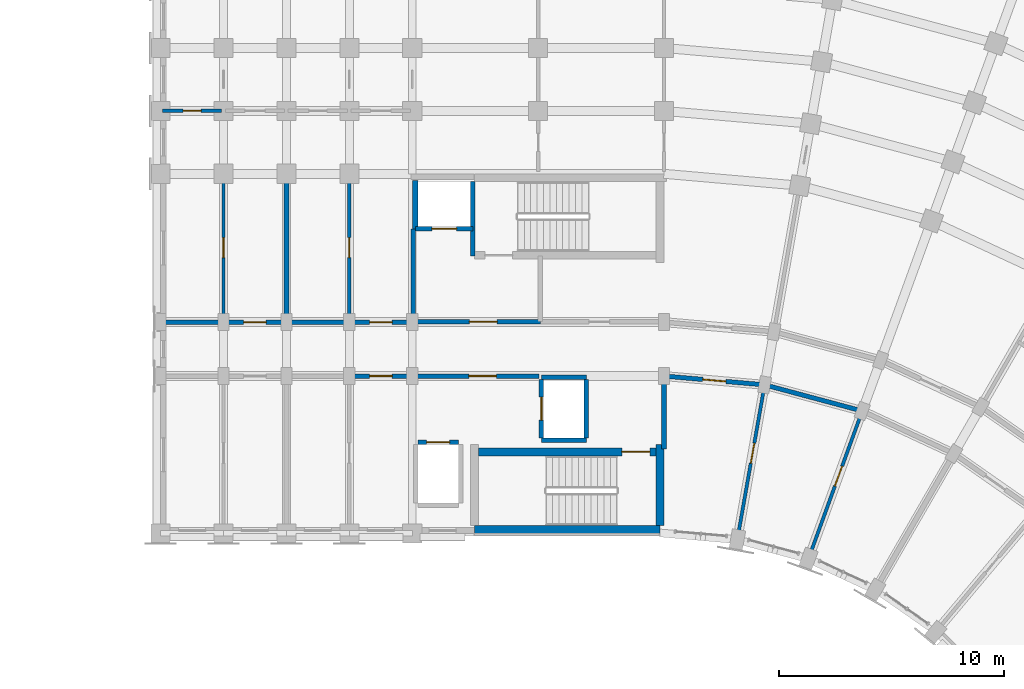
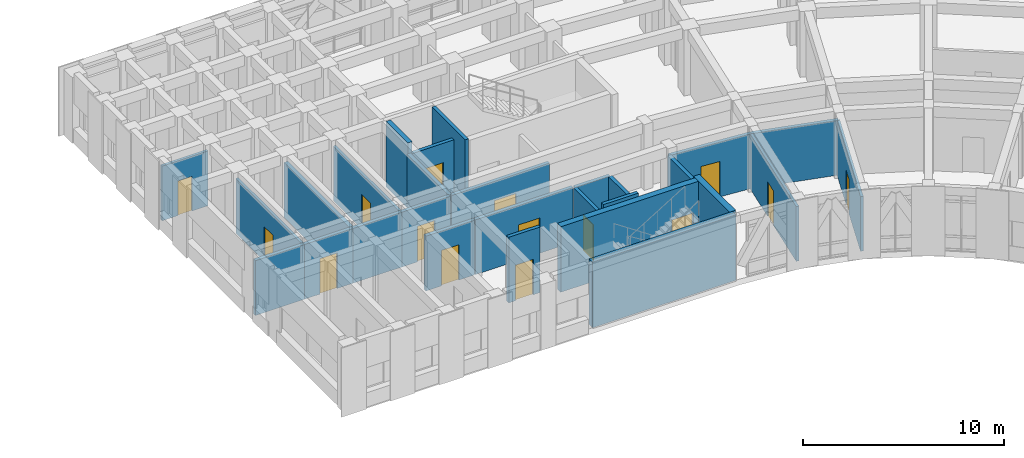
# One storey, part 73 of 97: 28 walls, 15 doors, 15 openings.
"""IFC4 building model written with IfcOpenShell, lengths in metres."""

from ifc_helpers import new_model, si_unit, direction, frame, frame_2d, origin, place, context, subcontext, project, spatial, rectangle, extrude, material, layer, layer_set, type_object, element, fill, save


model = new_model("IFC4")

# Units and contexts
model_context = context("Model", 3, precision=1e-05, world=origin(), true_north=direction((0.0, 1.0)))
body_context = subcontext(model_context, "Body", "Model", "MODEL_VIEW")
ifc_project = project(units=[si_unit("LENGTHUNIT", "METRE"), si_unit("AREAUNIT", "SQUARE_METRE"), si_unit("VOLUMEUNIT", "CUBIC_METRE"), si_unit("PLANEANGLEUNIT", "RADIAN"), si_unit("MASSUNIT", "GRAM", prefix="KILO")], contexts=[model_context])

# Site, building, storey
site_placement = place(None, origin())
site = spatial("IfcSite", under=ifc_project, at=site_placement, CompositionType="ELEMENT")
building_placement = place(site_placement, origin())
building = spatial("IfcBuilding", under=site, at=building_placement, Name="Kiranvali Square Residences", CompositionType="ELEMENT")
storey_placement = place(building_placement, frame((0.0, 0.0, 4.5)))
storey = spatial("IfcBuildingStorey", under=building, at=storey_placement, Name="L01", CompositionType="ELEMENT", Elevation=4.5)

# Wall, opening, door
ifc_material_1 = material(Name="Autoclaved aerated concrete blockwork masonry", Category="masonry")
ifc_layer_1 = layer(ifc_material_1, 0.199951171875)
ifc_layer_set_1 = layer_set([ifc_layer_1], Name="Autoclaved aerated concrete blockwork masonry")
wall_type_1 = type_object("IfcWallType", Name="WL-COR-200", PredefinedType="STANDARD", material=ifc_layer_set_1)
wall_1_placement = place(storey_placement, frame((114.25, 113.60009765625, 0.0), z_axis=(0.0, 0.0, 1.0), x_axis=(-1.0, 0.0, 0.0)))
wall_1 = element("IfcWall", 1, at=wall_1_placement, inside=storey, type_object=wall_type_1, Name="L01 architectural wall WL-L01-B-LL-COR", PredefinedType="STANDARD", context=body_context, shape_type="SweptSolid", body=[
    extrude(rectangle(XDim=5.60009765625, YDim=0.199951171875, at=frame_2d((2.800048828125, 0.0))), origin(), (0.0, 0.0, 1.0), 3.322021484375),
])
opening_1_placement = place(wall_1_placement, frame((1.909912109375, 0.0, 0.0)))
opening_1 = element("IfcOpeningElement", 2, at=opening_1_placement, cuts=wall_1, Name="Opening FD-COR-60", PredefinedType="OPENING", context=body_context, shape_type="SweptSolid", body=[
    extrude(rectangle(XDim=1.219970703125, YDim=2.14990234375, at=frame_2d((0.60986328125, 1.074951171875))), frame((0.0, 0.10986328125, 0.0), z_axis=(0.0, -1.0, 0.0), x_axis=(1.0, 0.0, 0.0)), (0.0, 0.0, 1.0), 0.219970703125),
])
ifc_material_2 = material(Name="Fire-rated acoustic hardwood and mineral-core door assembly", Category="wood")
door_type_1 = type_object("IfcDoorType", Name="DR-FD60-1200", OperationType="NOTDEFINED", PredefinedType="DOOR", material=ifc_material_2)
door_1_placement = place(opening_1_placement, frame((1.219970703125, 0.0, 0.0), z_axis=(0.0, 0.0, 1.0), x_axis=(-1.0, 0.0, 0.0)))
door_1 = element("IfcDoor", 3, at=door_1_placement, inside=storey, type_object=door_type_1, Name="L01 door DR-L01-1006 (DR-FD60-1200)", OperationType="SINGLE_SWING_RIGHT", OverallHeight=2.14990234375, OverallWidth=1.219970703125, PredefinedType="DOOR", context=body_context, shape_type="SweptSolid", body=[
    extrude(rectangle(XDim=1.219970703125, YDim=2.14990234375, at=frame_2d((0.60986328125, 1.074951171875))), frame((0.0, 0.02490234375, 0.0), z_axis=(0.0, -1.0, 0.0), x_axis=(1.0, 0.0, 0.0)), (0.0, 0.0, 1.0), 0.050048828125),
])
fill(opening_1, door_1)

wall_2_placement = place(storey_placement, frame((108.60009765625, 113.60009765625, 0.0), z_axis=(0.0, 0.0, 1.0), x_axis=(-1.0, 0.0, 0.0)))
wall_2 = element("IfcWall", 4, at=wall_2_placement, inside=storey, type_object=wall_type_1, Name="L01 architectural wall WL-L01-B-A1CI-0", PredefinedType="STANDARD", context=body_context, shape_type="SweptSolid", body=[
    extrude(rectangle(XDim=2.800048828125, YDim=0.199951171875, at=frame_2d((1.39990234375, 0.0))), origin(), (0.0, 0.0, 1.0), 3.322021484375),
])
opening_2_placement = place(wall_2_placement, frame((0.89990234375, 0.0, 0.0)))
opening_2 = element("IfcOpeningElement", 5, at=opening_2_placement, cuts=wall_2, Name="Opening FD-APT-60", PredefinedType="OPENING", context=body_context, shape_type="SweptSolid", body=[
    extrude(rectangle(XDim=1.0, YDim=2.14990234375, at=frame_2d((0.5, 1.074951171875))), frame((0.0, 0.10986328125, 0.0), z_axis=(0.0, -1.0, 0.0), x_axis=(1.0, 0.0, 0.0)), (0.0, 0.0, 1.0), 0.219970703125),
])
door_type_2 = type_object("IfcDoorType", Name="DR-APT-1000", OperationType="NOTDEFINED", PredefinedType="DOOR", material=ifc_material_2)
door_2_placement = place(opening_2_placement, frame((1.0, 0.0, 0.0), z_axis=(0.0, 0.0, 1.0), x_axis=(-1.0, 0.0, 0.0)))
door_2 = element("IfcDoor", 6, at=door_2_placement, inside=storey, type_object=door_type_2, Name="L01 door DR-L01-1010 (DR-APT-1000)", OperationType="SINGLE_SWING_RIGHT", OverallHeight=2.14990234375, OverallWidth=1.0, PredefinedType="DOOR", context=body_context, shape_type="SweptSolid", body=[
    extrude(rectangle(XDim=1.0, YDim=2.14990234375, at=frame_2d((0.5, 1.074951171875))), frame((0.0, 0.02490234375, 0.0), z_axis=(0.0, -1.0, 0.0), x_axis=(1.0, 0.0, 0.0)), (0.0, 0.0, 1.0), 0.050048828125),
])
fill(opening_2, door_2)

wall_3_placement = place(storey_placement, frame((108.60009765625, 116.0, 0.0), z_axis=(0.0, 0.0, 1.0), x_axis=(-1.0, 0.0, 0.0)))
wall_3 = element("IfcWall", 7, at=wall_3_placement, inside=storey, type_object=wall_type_1, Name="L01 architectural wall WL-L01-B-A1CO-0", PredefinedType="STANDARD", context=body_context, shape_type="SweptSolid", body=[
    extrude(rectangle(XDim=2.800048828125, YDim=0.199951171875, at=frame_2d((1.39990234375, 0.0))), origin(), (0.0, 0.0, 1.0), 3.322021484375),
])
opening_3_placement = place(wall_3_placement, frame((0.89990234375, 0.0, 0.0)))
opening_3 = element("IfcOpeningElement", 8, at=opening_3_placement, cuts=wall_3, Name="Opening FD-APT-60", PredefinedType="OPENING", context=body_context, shape_type="SweptSolid", body=[
    extrude(rectangle(XDim=1.0, YDim=2.14990234375, at=frame_2d((0.5, 1.074951171875))), frame((0.0, 0.10986328125, 0.0), z_axis=(0.0, -1.0, 0.0), x_axis=(1.0, 0.0, 0.0)), (0.0, 0.0, 1.0), 0.219970703125),
])
door_3_placement = place(opening_3_placement, frame((1.0, 0.0, 0.0), z_axis=(0.0, 0.0, 1.0), x_axis=(-1.0, 0.0, 0.0)))
door_3 = element("IfcDoor", 9, at=door_3_placement, inside=storey, type_object=door_type_2, Name="L01 door DR-L01-1012 (DR-APT-1000)", OperationType="SINGLE_SWING_RIGHT", OverallHeight=2.14990234375, OverallWidth=1.0, PredefinedType="DOOR", context=body_context, shape_type="SweptSolid", body=[
    extrude(rectangle(XDim=1.0, YDim=2.14990234375, at=frame_2d((0.5, 1.074951171875))), frame((0.0, 0.02490234375, 0.0), z_axis=(0.0, -1.0, 0.0), x_axis=(1.0, 0.0, 0.0)), (0.0, 0.0, 1.0), 0.050048828125),
])
fill(opening_3, door_3)

# Wall
wall_4_placement = place(storey_placement, frame((105.800048828125, 116.0, 0.0), z_axis=(0.0, 0.0, 1.0), x_axis=(-1.0, 0.0, 0.0)))
element("IfcWall", 10, at=wall_4_placement, inside=storey, type_object=wall_type_1, Name="L01 architectural wall WL-L01-B-A1CO-1", PredefinedType="STANDARD", context=body_context, shape_type="SweptSolid", body=[
    extrude(rectangle(XDim=2.800048828125, YDim=0.199951171875, at=frame_2d((1.39990234375, 0.0))), origin(), (0.0, 0.0, 1.0), 3.322021484375),
])

# Wall, opening, door
wall_5_placement = place(storey_placement, frame((103.0, 116.0, 0.0), z_axis=(0.0, 0.0, 1.0), x_axis=(-1.0, 0.0, 0.0)))
wall_5 = element("IfcWall", 11, at=wall_5_placement, inside=storey, type_object=wall_type_1, Name="L01 architectural wall WL-L01-B-A1CO-2", PredefinedType="STANDARD", context=body_context, shape_type="SweptSolid", body=[
    extrude(rectangle(XDim=2.800048828125, YDim=0.199951171875, at=frame_2d((1.39990234375, 0.0))), origin(), (0.0, 0.0, 1.0), 3.322021484375),
])
opening_4_placement = place(wall_5_placement, frame((0.89990234375, 0.0, 0.0)))
opening_4 = element("IfcOpeningElement", 12, at=opening_4_placement, cuts=wall_5, Name="Opening FD-APT-60", PredefinedType="OPENING", context=body_context, shape_type="SweptSolid", body=[
    extrude(rectangle(XDim=1.0, YDim=2.14990234375, at=frame_2d((0.5, 1.074951171875))), frame((0.0, 0.10986328125, 0.0), z_axis=(0.0, -1.0, 0.0), x_axis=(1.0, 0.0, 0.0)), (0.0, 0.0, 1.0), 0.219970703125),
])
door_4_placement = place(opening_4_placement, frame((1.0, 0.0, 0.0), z_axis=(0.0, 0.0, 1.0), x_axis=(-1.0, 0.0, 0.0)))
door_4 = element("IfcDoor", 13, at=door_4_placement, inside=storey, type_object=door_type_2, Name="L01 door DR-L01-1016 (DR-APT-1000)", OperationType="SINGLE_SWING_RIGHT", OverallHeight=2.14990234375, OverallWidth=1.0, PredefinedType="DOOR", context=body_context, shape_type="SweptSolid", body=[
    extrude(rectangle(XDim=1.0, YDim=2.14990234375, at=frame_2d((0.5, 1.074951171875))), frame((0.0, 0.02490234375, 0.0), z_axis=(0.0, -1.0, 0.0), x_axis=(1.0, 0.0, 0.0)), (0.0, 0.0, 1.0), 0.050048828125),
])
fill(opening_4, door_4)

# Wall
wall_6_placement = place(storey_placement, frame((100.199951171875, 116.0, 0.0), z_axis=(0.0, 0.0, 1.0), x_axis=(-1.0, 0.0, 0.0)))
element("IfcWall", 14, at=wall_6_placement, inside=storey, type_object=wall_type_1, Name="L01 architectural wall WL-L01-B-A1CO-3", PredefinedType="STANDARD", context=body_context, shape_type="SweptSolid", body=[
    extrude(rectangle(XDim=2.800048828125, YDim=0.199951171875, at=frame_2d((1.39990234375, 0.0))), origin(), (0.0, 0.0, 1.0), 3.322021484375),
])

# Wall, opening, door
wall_7_placement = place(storey_placement, frame((119.800048828125, 113.60009765625, 0.0), z_axis=(0.0, 0.0, 1.0), x_axis=(0.996191949488, -0.087187153726, 0.0)))
wall_7 = element("IfcWall", 15, at=wall_7_placement, inside=storey, type_object=wall_type_1, Name="L01 architectural wall WL-L01-B-CCI-0", PredefinedType="STANDARD", context=body_context, shape_type="SweptSolid", body=[
    extrude(rectangle(XDim=4.4970703125, YDim=0.199951171875, at=frame_2d((2.24853515625, 0.0))), origin(), (0.0, 0.0, 1.0), 3.322021484375),
])
opening_5_placement = place(wall_7_placement, frame((1.728515625, 0.0, 0.0)))
opening_5 = element("IfcOpeningElement", 16, at=opening_5_placement, cuts=wall_7, Name="Opening FD-APT-60B", PredefinedType="OPENING", context=body_context, shape_type="SweptSolid", body=[
    extrude(rectangle(XDim=1.0400390625, YDim=2.14990234375, at=frame_2d((0.52001953125, 1.074951171875))), frame((0.0, 0.10986328125, 0.0), z_axis=(0.0, -1.0, 0.0), x_axis=(1.0, 0.0, 0.0)), (0.0, 0.0, 1.0), 0.219970703125),
])
door_type_3 = type_object("IfcDoorType", Name="DR-APT-1040", OperationType="NOTDEFINED", PredefinedType="DOOR", material=ifc_material_2)
door_5_placement = place(opening_5_placement, origin())
door_5 = element("IfcDoor", 17, at=door_5_placement, inside=storey, type_object=door_type_3, Name="L01 door DR-L01-1043 (DR-APT-1040)", OperationType="SINGLE_SWING_LEFT", OverallHeight=2.14990234375, OverallWidth=1.0400390625, PredefinedType="DOOR", context=body_context, shape_type="SweptSolid", body=[
    extrude(rectangle(XDim=1.0400390625, YDim=2.14990234375, at=frame_2d((0.52001953125, 1.074951171875))), frame((0.0, 0.02490234375, 0.0), z_axis=(0.0, -1.0, 0.0), x_axis=(1.0, 0.0, 0.0)), (0.0, 0.0, 1.0), 0.050048828125),
])
fill(opening_5, door_5)

# Walls
wall_8_placement = place(storey_placement, frame((124.280029296875, 113.2080078125, 0.0), z_axis=(0.0, 0.0, 1.0), x_axis=(0.965934240054, -0.258787642463, 0.0)))
element("IfcWall", 18, at=wall_8_placement, inside=storey, type_object=wall_type_1, Name="L01 architectural wall WL-L01-B-CCI-1", PredefinedType="STANDARD", context=body_context, shape_type="SweptSolid", body=[
    extrude(rectangle(XDim=4.497314453125, YDim=0.199951171875, at=frame_2d((2.24853515625, 0.0))), origin(), (0.0, 0.0, 1.0), 3.322021484375),
])
ifc_layer_2 = layer(ifc_material_1, 0.219970703125)
ifc_layer_set_2 = layer_set([ifc_layer_2], Name="Autoclaved aerated concrete blockwork masonry")
wall_type_2 = type_object("IfcWallType", Name="WL-DEM-220", PredefinedType="STANDARD", material=ifc_layer_set_2)
wall_9_placement = place(storey_placement, frame((103.0, 116.050048828125, 0.0), z_axis=(0.0, 0.0, 1.0), x_axis=(0.0, 1.0, 0.0)))
element("IfcWall", 19, at=wall_9_placement, inside=storey, type_object=wall_type_2, Name="L01 architectural wall WL-L01-B-A1TO1-2", PredefinedType="STANDARD", context=body_context, shape_type="SweptSolid", body=[
    extrude(rectangle(XDim=6.530029296875, YDim=0.219970703125, at=frame_2d((3.26513671875, 0.0))), origin(), (0.0, 0.0, 1.0), 3.322021484375),
])
wall_10_placement = place(storey_placement, frame((119.800048828125, 110.35009765625, 0.0), z_axis=(0.0, 0.0, 1.0), x_axis=(0.0, 1.0, 0.0)))
element("IfcWall", 20, at=wall_10_placement, inside=storey, type_object=wall_type_2, Name="L01 architectural wall WL-L01-B-RADI-0", PredefinedType="STANDARD", context=body_context, shape_type="SweptSolid", body=[
    extrude(rectangle(XDim=3.199951171875, YDim=0.219970703125, at=frame_2d((1.60009765625, 0.0))), origin(), (0.0, 0.0, 1.0), 3.322021484375),
])

# Wall, opening, door
ifc_layer_3 = layer(ifc_material_1, 0.199951171875)
ifc_layer_set_3 = layer_set([ifc_layer_3], Name="Autoclaved aerated concrete blockwork masonry")
wall_type_3 = type_object("IfcWallType", Name="WL-FFL-200", PredefinedType="STANDARD", material=ifc_layer_set_3)
wall_11_placement = place(storey_placement, frame((114.300048828125, 116.02001953125, 0.0), z_axis=(0.0, 0.0, 1.0), x_axis=(-1.0, 0.0, 0.0)))
wall_11 = element("IfcWall", 21, at=wall_11_placement, inside=storey, type_object=wall_type_3, Name="L01 architectural wall WL-L01-B-FF-COR", PredefinedType="STANDARD", context=body_context, shape_type="SweptSolid", body=[
    extrude(rectangle(XDim=5.650146484375, YDim=0.199951171875, at=frame_2d((2.8251953125, 0.0))), origin(), (0.0, 0.0, 1.0), 3.322021484375),
])
opening_6_placement = place(wall_11_placement, frame((1.922607421875, 0.0, 0.0)))
opening_6 = element("IfcOpeningElement", 22, at=opening_6_placement, cuts=wall_11, Name="Opening FD-ST-120", PredefinedType="OPENING", context=body_context, shape_type="SweptSolid", body=[
    extrude(rectangle(XDim=1.239990234375, YDim=2.14990234375, at=frame_2d((0.6201171875, 1.074951171875))), frame((0.0, 0.10986328125, 0.0), z_axis=(0.0, -1.0, 0.0), x_axis=(1.0, 0.0, 0.0)), (0.0, 0.0, 1.0), 0.219970703125),
])
door_type_4 = type_object("IfcDoorType", Name="DR-FD120-1200", OperationType="NOTDEFINED", PredefinedType="DOOR", material=ifc_material_2)
door_6_placement = place(opening_6_placement, frame((1.239990234375, 0.0, 0.0), z_axis=(0.0, 0.0, 1.0), x_axis=(-1.0, 0.0, 0.0)))
door_6 = element("IfcDoor", 23, at=door_6_placement, inside=storey, type_object=door_type_4, Name="L01 door DR-L01-0998 (DR-FD120-1200)", OperationType="SINGLE_SWING_RIGHT", OverallHeight=2.14990234375, OverallWidth=1.239990234375, PredefinedType="DOOR", context=body_context, shape_type="SweptSolid", body=[
    extrude(rectangle(XDim=1.239990234375, YDim=2.14990234375, at=frame_2d((0.6201171875, 1.074951171875))), frame((0.0, 0.02490234375, 0.0), z_axis=(0.0, -1.0, 0.0), x_axis=(1.0, 0.0, 0.0)), (0.0, 0.0, 1.0), 0.050048828125),
])
fill(opening_6, door_6)

# Wall
wall_12_placement = place(storey_placement, frame((108.64990234375, 116.02001953125, 0.0), z_axis=(0.0, 0.0, 1.0), x_axis=(0.0, 1.0, 0.0)))
element("IfcWall", 24, at=wall_12_placement, inside=storey, type_object=wall_type_3, Name="L01 architectural wall WL-L01-B-FF-END", PredefinedType="STANDARD", context=body_context, shape_type="SweptSolid", body=[
    extrude(rectangle(XDim=4.1298828125, YDim=0.199951171875, at=frame_2d((2.06494140625, 0.0))), origin(), (0.0, 0.0, 1.0), 3.322021484375),
])

# Wall, opening, door
wall_13_placement = place(storey_placement, frame((111.300048828125, 120.14990234375, 0.0), z_axis=(0.0, 0.0, 1.0), x_axis=(-1.0, 0.0, 0.0)))
wall_13 = element("IfcWall", 25, at=wall_13_placement, inside=storey, type_object=wall_type_3, Name="L01 architectural wall WL-L01-B-FF-LFT", PredefinedType="STANDARD", context=body_context, shape_type="SweptSolid", body=[
    extrude(rectangle(XDim=2.550048828125, YDim=0.199951171875, at=frame_2d((1.27490234375, 0.0))), origin(), (0.0, 0.0, 1.0), 3.322021484375),
])
opening_7_placement = place(wall_13_placement, frame((0.72509765625, 0.0, 0.0)))
opening_7 = element("IfcOpeningElement", 26, at=opening_7_placement, cuts=wall_13, Name="Opening LD-FF-110", PredefinedType="OPENING", context=body_context, shape_type="SweptSolid", body=[
    extrude(rectangle(XDim=1.10009765625, YDim=2.14990234375, at=frame_2d((0.550048828125, 1.074951171875))), frame((0.0, 0.10986328125, 0.0), z_axis=(0.0, -1.0, 0.0), x_axis=(1.0, 0.0, 0.0)), (0.0, 0.0, 1.0), 0.219970703125),
])
door_type_5 = type_object("IfcDoorType", Name="DR-LIFT-FF-1100", OperationType="SLIDING_TO_LEFT", PredefinedType="DOOR", material=ifc_material_2)
door_7_placement = place(opening_7_placement, origin())
door_7 = element("IfcDoor", 27, at=door_7_placement, inside=storey, type_object=door_type_5, Name="L01 door DR-L01-1000 (DR-LIFT-FF-1100)", OperationType="SLIDING_TO_LEFT", OverallHeight=2.14990234375, OverallWidth=1.10009765625, PredefinedType="DOOR", context=body_context, shape_type="SweptSolid", body=[
    extrude(rectangle(XDim=1.10009765625, YDim=2.14990234375, at=frame_2d((0.550048828125, 1.074951171875))), frame((0.0, 0.02490234375, 0.0), z_axis=(0.0, -1.0, 0.0), x_axis=(1.0, 0.0, 0.0)), (0.0, 0.0, 1.0), 0.050048828125),
])
fill(opening_7, door_7)

ifc_material_3 = material(Name="Acoustic gypsum board drylined partition", Category="gypsum")
ifc_layer_4 = layer(ifc_material_3, 0.14990234375)
ifc_layer_set_4 = layer_set([ifc_layer_4], Name="Acoustic gypsum board drylined partition")
wall_type_4 = type_object("IfcWallType", Name="WL-PRT-150", PredefinedType="PARTITIONING", material=ifc_layer_set_4)
wall_14_placement = place(storey_placement, frame((105.800048828125, 116.050048828125, 0.0), z_axis=(0.0, 0.0, 1.0), x_axis=(0.0, 1.0, 0.0)))
wall_14 = element("IfcWall", 28, at=wall_14_placement, inside=storey, type_object=wall_type_4, Name="L01 architectural wall WL-L01-B-A1TO1-1", PredefinedType="PARTITIONING", context=body_context, shape_type="SweptSolid", body=[
    extrude(rectangle(XDim=6.530029296875, YDim=0.14990234375, at=frame_2d((3.26513671875, 0.0))), origin(), (0.0, 0.0, 1.0), 3.322021484375),
])
opening_8_placement = place(wall_14_placement, frame((2.81494140625, 0.0, 0.0)))
opening_8 = element("IfcOpeningElement", 29, at=opening_8_placement, cuts=wall_14, Name="Opening ID-1", PredefinedType="OPENING", context=body_context, shape_type="SweptSolid", body=[
    extrude(rectangle(XDim=0.89990234375, YDim=2.10009765625, at=frame_2d((0.449951171875, 1.050048828125))), frame((0.0, 0.0849609375, 0.0), z_axis=(0.0, -1.0, 0.0), x_axis=(1.0, 0.0, 0.0)), (0.0, 0.0, 1.0), 0.169921875),
])
ifc_material_4 = material(Name="Solid seasoned teak hardwood joinery", Category="wood")
door_type_6 = type_object("IfcDoorType", Name="DR-INT-900", OperationType="NOTDEFINED", PredefinedType="DOOR", material=ifc_material_4)
door_8_placement = place(opening_8_placement, frame((0.89990234375, 0.0, 0.0), z_axis=(0.0, 0.0, 1.0), x_axis=(-1.0, 0.0, 0.0)))
door_8 = element("IfcDoor", 30, at=door_8_placement, inside=storey, type_object=door_type_6, Name="L01 door DR-L01-1020 (DR-INT-900)", OperationType="SINGLE_SWING_RIGHT", OverallHeight=2.10009765625, OverallWidth=0.89990234375, PredefinedType="DOOR", context=body_context, shape_type="SweptSolid", body=[
    extrude(rectangle(XDim=0.89990234375, YDim=2.10009765625, at=frame_2d((0.449951171875, 1.050048828125))), frame((0.0, 0.02490234375, 0.0), z_axis=(0.0, -1.0, 0.0), x_axis=(1.0, 0.0, 0.0)), (0.0, 0.0, 1.0), 0.050048828125),
])
fill(opening_8, door_8)

wall_15_placement = place(storey_placement, frame((100.199951171875, 116.050048828125, 0.0), z_axis=(0.0, 0.0, 1.0), x_axis=(0.0, 1.0, 0.0)))
wall_15 = element("IfcWall", 31, at=wall_15_placement, inside=storey, type_object=wall_type_4, Name="L01 architectural wall WL-L01-B-A1TO1-3", PredefinedType="PARTITIONING", context=body_context, shape_type="SweptSolid", body=[
    extrude(rectangle(XDim=6.530029296875, YDim=0.14990234375, at=frame_2d((3.26513671875, 0.0))), origin(), (0.0, 0.0, 1.0), 3.322021484375),
])
opening_9_placement = place(wall_15_placement, frame((2.81494140625, 0.0, 0.0)))
opening_9 = element("IfcOpeningElement", 32, at=opening_9_placement, cuts=wall_15, Name="Opening ID-1", PredefinedType="OPENING", context=body_context, shape_type="SweptSolid", body=[
    extrude(rectangle(XDim=0.89990234375, YDim=2.10009765625, at=frame_2d((0.449951171875, 1.050048828125))), frame((0.0, 0.0849609375, 0.0), z_axis=(0.0, -1.0, 0.0), x_axis=(1.0, 0.0, 0.0)), (0.0, 0.0, 1.0), 0.169921875),
])
door_9_placement = place(opening_9_placement, origin())
door_9 = element("IfcDoor", 33, at=door_9_placement, inside=storey, type_object=door_type_6, Name="L01 door DR-L01-1023 (DR-INT-900)", OperationType="SINGLE_SWING_LEFT", OverallHeight=2.10009765625, OverallWidth=0.89990234375, PredefinedType="DOOR", context=body_context, shape_type="SweptSolid", body=[
    extrude(rectangle(XDim=0.89990234375, YDim=2.10009765625, at=frame_2d((0.449951171875, 1.050048828125))), frame((0.0, 0.02490234375, 0.0), z_axis=(0.0, -1.0, 0.0), x_axis=(1.0, 0.0, 0.0)), (0.0, 0.0, 1.0), 0.050048828125),
])
fill(opening_9, door_9)

wall_16_placement = place(storey_placement, frame((123.099365234375, 106.51123046875, 0.0), z_axis=(0.0, 0.0, 1.0), x_axis=(0.173647089161, 0.984807944945, 0.0)))
wall_16 = element("IfcWall", 34, at=wall_16_placement, inside=storey, type_object=wall_type_4, Name="L01 architectural wall WL-L01-B-RADI-1", PredefinedType="PARTITIONING", context=body_context, shape_type="SweptSolid", body=[
    extrude(rectangle(XDim=6.75, YDim=0.14990234375, at=frame_2d((3.375, 0.0))), origin(), (0.0, 0.0, 1.0), 3.322021484375),
])
opening_10_placement = place(wall_16_placement, frame((3.262451171875, 0.0, 0.0)))
opening_10 = element("IfcOpeningElement", 35, at=opening_10_placement, cuts=wall_16, Name="Opening ID-1", PredefinedType="OPENING", context=body_context, shape_type="SweptSolid", body=[
    extrude(rectangle(XDim=0.89990234375, YDim=2.10009765625, at=frame_2d((0.449951171875, 1.050048828125))), frame((0.0, 0.0849609375, 0.0), z_axis=(0.0, -1.0, 0.0), x_axis=(1.0, 0.0, 0.0)), (0.0, 0.0, 1.0), 0.169921875),
])
door_10_placement = place(opening_10_placement, frame((0.89990234375, 0.0, 0.0), z_axis=(0.0, 0.0, 1.0), x_axis=(-1.0, 0.0, 0.0)))
door_10 = element("IfcDoor", 36, at=door_10_placement, inside=storey, type_object=door_type_6, Name="L01 door DR-L01-1026 (DR-INT-900)", OperationType="SINGLE_SWING_RIGHT", OverallHeight=2.10009765625, OverallWidth=0.89990234375, PredefinedType="DOOR", context=body_context, shape_type="SweptSolid", body=[
    extrude(rectangle(XDim=0.89990234375, YDim=2.10009765625, at=frame_2d((0.449951171875, 1.050048828125))), frame((0.0, 0.02490234375, 0.0), z_axis=(0.0, -1.0, 0.0), x_axis=(1.0, 0.0, 0.0)), (0.0, 0.0, 1.0), 0.050048828125),
])
fill(opening_10, door_10)

wall_17_placement = place(storey_placement, frame((126.29833984375, 105.654052734375, 0.0), z_axis=(0.0, 0.0, 1.0), x_axis=(0.342010221662, 0.939696231917, 0.0)))
wall_17 = element("IfcWall", 37, at=wall_17_placement, inside=storey, type_object=wall_type_4, Name="L01 architectural wall WL-L01-B-RADI-2", PredefinedType="PARTITIONING", context=body_context, shape_type="SweptSolid", body=[
    extrude(rectangle(XDim=6.75, YDim=0.14990234375, at=frame_2d((3.375, 0.0))), origin(), (0.0, 0.0, 1.0), 3.322021484375),
])
opening_11_placement = place(wall_17_placement, frame((3.242431640625, 0.0, 0.0)))
opening_11 = element("IfcOpeningElement", 38, at=opening_11_placement, cuts=wall_17, Name="Opening ID-2", PredefinedType="OPENING", context=body_context, shape_type="SweptSolid", body=[
    extrude(rectangle(XDim=0.93994140625, YDim=2.10009765625, at=frame_2d((0.469970703125, 1.050048828125))), frame((0.0, 0.0849609375, 0.0), z_axis=(0.0, -1.0, 0.0), x_axis=(1.0, 0.0, 0.0)), (0.0, 0.0, 1.0), 0.169921875),
])
door_type_7 = type_object("IfcDoorType", Name="DR-INT-940", OperationType="NOTDEFINED", PredefinedType="DOOR", material=ifc_material_4)
door_11_placement = place(opening_11_placement, frame((0.93994140625, 0.0, 0.0), z_axis=(0.0, 0.0, 1.0), x_axis=(-1.0, 0.0, 0.0)))
door_11 = element("IfcDoor", 39, at=door_11_placement, inside=storey, type_object=door_type_7, Name="L01 door DR-L01-1028 (DR-INT-940)", OperationType="SINGLE_SWING_RIGHT", OverallHeight=2.10009765625, OverallWidth=0.93994140625, PredefinedType="DOOR", context=body_context, shape_type="SweptSolid", body=[
    extrude(rectangle(XDim=0.93994140625, YDim=2.10009765625, at=frame_2d((0.469970703125, 1.050048828125))), frame((0.0, 0.02490234375, 0.0), z_axis=(0.0, -1.0, 0.0), x_axis=(1.0, 0.0, 0.0)), (0.0, 0.0, 1.0), 0.050048828125),
])
fill(opening_11, door_11)

# Wall
ifc_layer_5 = layer(ifc_material_1, 0.199951171875)
ifc_layer_set_5 = layer_set([ifc_layer_5], Name="Autoclaved aerated concrete blockwork masonry")
wall_type_5 = type_object("IfcWallType", Name="WL-SHF-200", PredefinedType="STANDARD", material=ifc_layer_set_5)
wall_18_placement = place(storey_placement, frame((111.300048828125, 118.949951171875, 0.0), z_axis=(0.0, 0.0, 1.0), x_axis=(0.0, 1.0, 0.0)))
element("IfcWall", 40, at=wall_18_placement, inside=storey, type_object=wall_type_5, Name="L01 architectural wall WL-L01-B-FF-SHF", PredefinedType="STANDARD", context=body_context, shape_type="SweptSolid", body=[
    extrude(rectangle(XDim=3.300048828125, YDim=0.199951171875, at=frame_2d((1.64990234375, 0.0))), origin(), (0.0, 0.0, 1.0), 3.97998046875),
])

# Wall, opening, door
wall_19_placement = place(storey_placement, frame((110.64990234375, 110.64990234375, 0.0), z_axis=(0.0, 0.0, 1.0), x_axis=(-1.0, 0.0, 0.0)))
wall_19 = element("IfcWall", 41, at=wall_19_placement, inside=storey, type_object=wall_type_5, Name="L01 architectural wall WL-L01-B-LP1-F", PredefinedType="STANDARD", context=body_context, shape_type="SweptSolid", body=[
    extrude(rectangle(XDim=1.7998046875, YDim=0.199951171875, at=frame_2d((0.89990234375, 0.0))), origin(), (0.0, 0.0, 1.0), 3.97998046875),
])
opening_12_placement = place(wall_19_placement, frame((0.389892578125, 0.0, 0.0)))
opening_12 = element("IfcOpeningElement", 42, at=opening_12_placement, cuts=wall_19, Name="Opening LD-PAX-100", PredefinedType="OPENING", context=body_context, shape_type="SweptSolid", body=[
    extrude(rectangle(XDim=1.02001953125, YDim=2.14990234375, at=frame_2d((0.510009765625, 1.074951171875))), frame((0.0, 0.10986328125, 0.0), z_axis=(0.0, -1.0, 0.0), x_axis=(1.0, 0.0, 0.0)), (0.0, 0.0, 1.0), 0.219970703125),
])
door_type_8 = type_object("IfcDoorType", Name="DR-LIFT-1000", OperationType="SLIDING_TO_RIGHT", PredefinedType="DOOR", material=ifc_material_2)
door_12_placement = place(opening_12_placement, origin())
door_12 = element("IfcDoor", 43, at=door_12_placement, inside=storey, type_object=door_type_8, Name="L01 door DR-L01-1004 (DR-LIFT-1000)", OperationType="SLIDING_TO_RIGHT", OverallHeight=2.14990234375, OverallWidth=1.02001953125, PredefinedType="DOOR", context=body_context, shape_type="SweptSolid", body=[
    extrude(rectangle(XDim=1.02001953125, YDim=2.14990234375, at=frame_2d((0.510009765625, 1.074951171875))), frame((0.0, 0.02490234375, 0.0), z_axis=(0.0, -1.0, 0.0), x_axis=(1.0, 0.0, 0.0)), (0.0, 0.0, 1.0), 0.050048828125),
])
fill(opening_12, door_12)

# Walls
wall_20_placement = place(storey_placement, frame((116.35009765625, 110.75, 0.0), z_axis=(0.0, 0.0, 1.0), x_axis=(-1.0, 0.0, 0.0)))
element("IfcWall", 44, at=wall_20_placement, inside=storey, type_object=wall_type_5, Name="L01 architectural wall WL-L01-B-LP2-S0", PredefinedType="STANDARD", context=body_context, shape_type="SweptSolid", body=[
    extrude(rectangle(XDim=2.0, YDim=0.199951171875, at=frame_2d((1.0, 0.0))), origin(), (0.0, 0.0, 1.0), 3.97998046875),
])
wall_21_placement = place(storey_placement, frame((116.35009765625, 113.550048828125, 0.0), z_axis=(0.0, 0.0, 1.0), x_axis=(-1.0, 0.0, 0.0)))
element("IfcWall", 45, at=wall_21_placement, inside=storey, type_object=wall_type_5, Name="L01 architectural wall WL-L01-B-LP2-B", PredefinedType="STANDARD", context=body_context, shape_type="SweptSolid", body=[
    extrude(rectangle(XDim=2.0, YDim=0.199951171875, at=frame_2d((1.0, 0.0))), origin(), (0.0, 0.0, 1.0), 3.322021484375),
])
wall_22_placement = place(storey_placement, frame((116.35009765625, 110.85009765625, 0.0), z_axis=(0.0, 0.0, 1.0), x_axis=(0.0, 1.0, 0.0)))
element("IfcWall", 46, at=wall_22_placement, inside=storey, type_object=wall_type_5, Name="L01 architectural wall WL-L01-B-LP2-S1", PredefinedType="STANDARD", context=body_context, shape_type="SweptSolid", body=[
    extrude(rectangle(XDim=2.599853515625, YDim=0.199951171875, at=frame_2d((1.2998046875, 0.0))), origin(), (0.0, 0.0, 1.0), 3.322021484375),
])

# Wall, opening, door
wall_23_placement = place(storey_placement, frame((114.35009765625, 110.85009765625, 0.0), z_axis=(0.0, 0.0, 1.0), x_axis=(0.0, 1.0, 0.0)))
wall_23 = element("IfcWall", 47, at=wall_23_placement, inside=storey, type_object=wall_type_5, Name="L01 architectural wall WL-L01-B-LP2-F", PredefinedType="STANDARD", context=body_context, shape_type="SweptSolid", body=[
    extrude(rectangle(XDim=2.599853515625, YDim=0.199951171875, at=frame_2d((1.2998046875, 0.0))), origin(), (0.0, 0.0, 1.0), 3.322021484375),
])
opening_13_placement = place(wall_23_placement, frame((0.7900390625, 0.0, 0.0)))
opening_13 = element("IfcOpeningElement", 48, at=opening_13_placement, cuts=wall_23, Name="Opening LD-PAX-100", PredefinedType="OPENING", context=body_context, shape_type="SweptSolid", body=[
    extrude(rectangle(XDim=1.02001953125, YDim=2.14990234375, at=frame_2d((0.510009765625, 1.074951171875))), frame((0.0, 0.10986328125, 0.0), z_axis=(0.0, -1.0, 0.0), x_axis=(1.0, 0.0, 0.0)), (0.0, 0.0, 1.0), 0.219970703125),
])
door_13_placement = place(opening_13_placement, origin())
door_13 = element("IfcDoor", 49, at=door_13_placement, inside=storey, type_object=door_type_8, Name="L01 door DR-L01-1005 (DR-LIFT-1000)", OperationType="SLIDING_TO_RIGHT", OverallHeight=2.14990234375, OverallWidth=1.02001953125, PredefinedType="DOOR", context=body_context, shape_type="SweptSolid", body=[
    extrude(rectangle(XDim=1.02001953125, YDim=2.14990234375, at=frame_2d((0.510009765625, 1.074951171875))), frame((0.0, 0.02490234375, 0.0), z_axis=(0.0, -1.0, 0.0), x_axis=(1.0, 0.0, 0.0)), (0.0, 0.0, 1.0), 0.050048828125),
])
fill(opening_13, door_13)

# Walls
ifc_material_5 = material(Name="Concrete M45 (45 MPa)", Category="concrete")
ifc_layer_6 = layer(ifc_material_5, 0.25)
ifc_layer_set_6 = layer_set([ifc_layer_6], Name="Concrete M45 (45 MPa)")
wall_type_6 = type_object("IfcWallType", Name="WL-SHR-250", PredefinedType="SHEAR", material=ifc_layer_set_6)
wall_24_placement = place(storey_placement, frame((108.72509765625, 120.14990234375, 0.0), z_axis=(0.0, 0.0, 1.0), x_axis=(0.0, 1.0, 0.0)))
element("IfcWall", 50, at=wall_24_placement, inside=storey, type_object=wall_type_6, Name="Block B core shear wall SW-BFF-SD-L01", PredefinedType="SHEAR", context=body_context, shape_type="SweptSolid", body=[
    extrude(rectangle(XDim=2.150146484375, YDim=0.25, at=frame_2d((1.0751953125, 0.0))), origin(), (0.0, 0.0, 1.0), 3.97998046875),
])
ifc_material_6 = material(Name="Concrete M50 (50 MPa)", Category="concrete")
ifc_layer_7 = layer(ifc_material_6, 0.35009765625)
ifc_layer_set_7 = layer_set([ifc_layer_7], Name="Concrete M50 (50 MPa)")
wall_type_7 = type_object("IfcWallType", Name="WL-SHR-350", PredefinedType="SHEAR", material=ifc_layer_set_7)
wall_25_placement = place(storey_placement, frame((119.625, 106.77490234375, 0.0), z_axis=(0.0, 0.0, 1.0), x_axis=(-1.0, 0.0, 0.0)))
element("IfcWall", 51, at=wall_25_placement, inside=storey, type_object=wall_type_7, Name="Block B core shear wall SW-B2-OUT-L01", PredefinedType="SHEAR", context=body_context, shape_type="SweptSolid", body=[
    extrude(rectangle(XDim=8.25, YDim=0.35009765625, at=frame_2d((4.125, 0.0))), origin(), (0.0, 0.0, 1.0), 3.97998046875),
])

# Wall, opening, door
wall_26_placement = place(storey_placement, frame((119.449951171875, 110.22509765625, 0.0), z_axis=(0.0, 0.0, 1.0), x_axis=(-1.0, 0.0, 0.0)))
wall_26 = element("IfcWall", 52, at=wall_26_placement, inside=storey, type_object=wall_type_7, Name="Block B core shear wall SW-B2-IN-L01", PredefinedType="SHEAR", context=body_context, shape_type="SweptSolid", body=[
    extrude(rectangle(XDim=7.89990234375, YDim=0.35009765625, at=frame_2d((3.949951171875, 0.0))), origin(), (0.0, 0.0, 1.0), 3.97998046875),
])
opening_14_placement = place(wall_26_placement, frame((0.280029296875, 0.0, 0.0)))
opening_14 = element("IfcOpeningElement", 53, at=opening_14_placement, cuts=wall_26, Name="Opening FD-ST-120", PredefinedType="OPENING", context=body_context, shape_type="SweptSolid", body=[
    extrude(rectangle(XDim=1.239990234375, YDim=2.14990234375, at=frame_2d((0.6201171875, 1.074951171875))), frame((0.0, 0.18505859375, 0.0), z_axis=(0.0, -1.0, 0.0), x_axis=(1.0, 0.0, 0.0)), (0.0, 0.0, 1.0), 0.3701171875),
])
door_14_placement = place(opening_14_placement, origin())
door_14 = element("IfcDoor", 54, at=door_14_placement, inside=storey, type_object=door_type_4, Name="L01 door DR-L01-1002 (DR-FD120-1200)", OperationType="SINGLE_SWING_RIGHT", OverallHeight=2.14990234375, OverallWidth=1.239990234375, PredefinedType="DOOR", context=body_context, shape_type="SweptSolid", body=[
    extrude(rectangle(XDim=1.239990234375, YDim=2.14990234375, at=frame_2d((0.6201171875, 1.074951171875))), frame((0.0, 0.02490234375, 0.0), z_axis=(0.0, -1.0, 0.0), x_axis=(1.0, 0.0, 0.0)), (0.0, 0.0, 1.0), 0.050048828125),
])
fill(opening_14, door_14)

# Wall
wall_27_placement = place(storey_placement, frame((119.625, 106.949951171875, 0.0), z_axis=(0.0, 0.0, 1.0), x_axis=(0.0, 1.0, 0.0)))
element("IfcWall", 55, at=wall_27_placement, inside=storey, type_object=wall_type_7, Name="Block B core shear wall SW-B2-NEAR-L01", PredefinedType="SHEAR", context=body_context, shape_type="SweptSolid", body=[
    extrude(rectangle(XDim=3.60009765625, YDim=0.35009765625, at=frame_2d((1.800048828125, 0.0))), origin(), (0.0, 0.0, 1.0), 3.97998046875),
])

# Wall, opening, door
ifc_layer_8 = layer(ifc_material_1, 0.14990234375)
ifc_layer_set_8 = layer_set([ifc_layer_8], Name="Autoclaved aerated concrete blockwork masonry")
wall_type_8 = type_object("IfcWallType", Name="WL-WET-150", PredefinedType="PLUMBINGWALL", material=ifc_layer_set_8)
wall_28_placement = place(storey_placement, frame((100.1201171875, 125.39990234375, 0.0), z_axis=(0.0, 0.0, 1.0), x_axis=(-1.0, 0.0, 0.0)))
wall_28 = element("IfcWall", 56, at=wall_28_placement, inside=storey, type_object=wall_type_8, Name="L01 architectural wall WL-L01-B-A1SP-3", PredefinedType="PLUMBINGWALL", context=body_context, shape_type="SweptSolid", body=[
    extrude(rectangle(XDim=2.64013671875, YDim=0.14990234375, at=frame_2d((1.320068359375, 0.0))), origin(), (0.0, 0.0, 1.0), 3.322021484375),
])
opening_15_placement = place(wall_28_placement, frame((0.919921875, 0.0, 0.0)))
opening_15 = element("IfcOpeningElement", 57, at=opening_15_placement, cuts=wall_28, Name="Opening ID-WET", PredefinedType="OPENING", context=body_context, shape_type="SweptSolid", body=[
    extrude(rectangle(XDim=0.800048828125, YDim=2.10009765625, at=frame_2d((0.39990234375, 1.050048828125))), frame((0.0, 0.0849609375, 0.0), z_axis=(0.0, -1.0, 0.0), x_axis=(1.0, 0.0, 0.0)), (0.0, 0.0, 1.0), 0.169921875),
])
door_type_9 = type_object("IfcDoorType", Name="DR-WET-800", OperationType="NOTDEFINED", PredefinedType="DOOR", material=ifc_material_4)
door_15_placement = place(opening_15_placement, origin())
door_15 = element("IfcDoor", 58, at=door_15_placement, inside=storey, type_object=door_type_9, Name="L01 door DR-L01-1017 (DR-WET-800)", OperationType="SINGLE_SWING_LEFT", OverallHeight=2.10009765625, OverallWidth=0.800048828125, PredefinedType="DOOR", context=body_context, shape_type="SweptSolid", body=[
    extrude(rectangle(XDim=0.800048828125, YDim=2.10009765625, at=frame_2d((0.39990234375, 1.050048828125))), frame((0.0, 0.02490234375, 0.0), z_axis=(0.0, -1.0, 0.0), x_axis=(1.0, 0.0, 0.0)), (0.0, 0.0, 1.0), 0.050048828125),
])
fill(opening_15, door_15)

save(model, "model.ifc")
